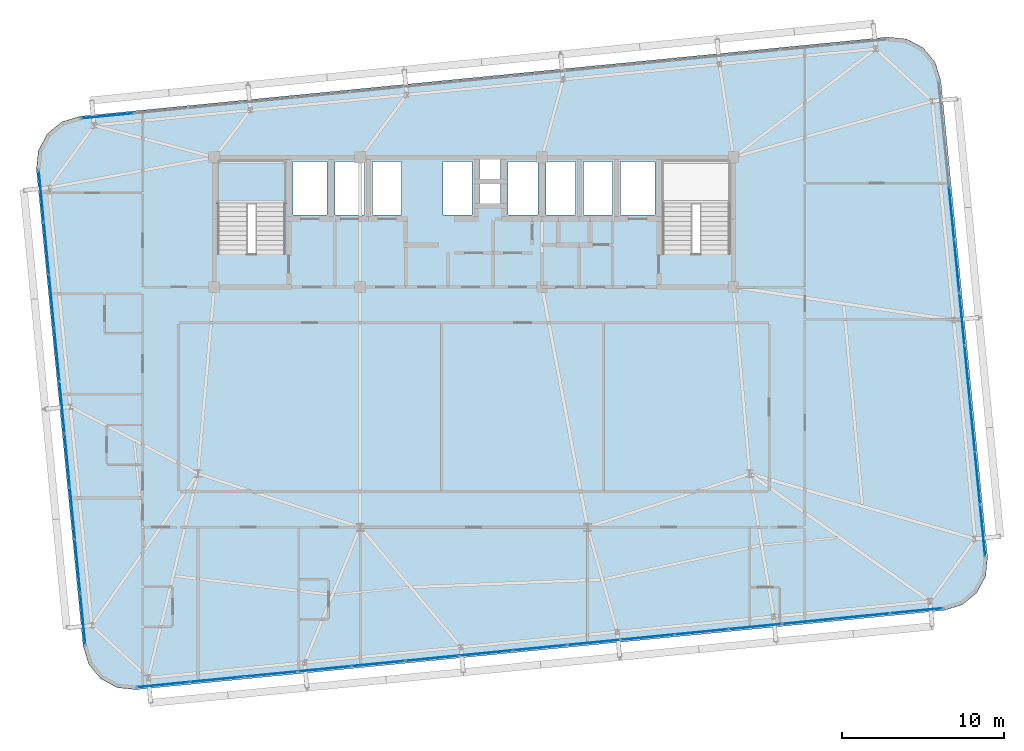
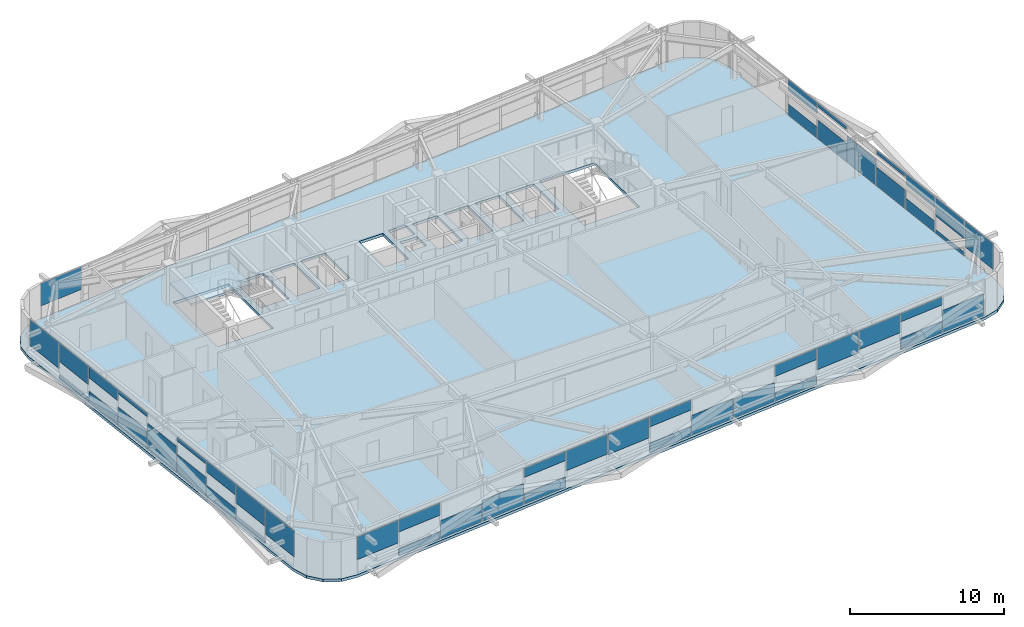
# One storey, part 36 of 53: 48 plates, 2 slabs, 5 elements without a shape of their own.
"""IFC4 building model written with IfcOpenShell, lengths in metres."""

from ifc_helpers import new_model, si_unit, direction, frame, origin, origin_2d, place, context, subcontext, project, spatial, polyline, rectangle, outline, extrude, source, transform, mapped, material, layer, layer_set, type_object, element, aggregate, save


model = new_model("IFC4")

# Units and contexts
model_context = context("Model", 3, precision=1e-05, world=origin(), true_north=direction((0.0, 1.0)))
body_context = subcontext(model_context, "Body", "Model", "MODEL_VIEW")
ifc_project = project(units=[si_unit("LENGTHUNIT", "METRE"), si_unit("AREAUNIT", "SQUARE_METRE"), si_unit("VOLUMEUNIT", "CUBIC_METRE"), si_unit("PLANEANGLEUNIT", "RADIAN"), si_unit("MASSUNIT", "GRAM", prefix="KILO")], contexts=[model_context])

# Site, building, storey
site_placement = place(None, origin())
site = spatial("IfcSite", under=ifc_project, at=site_placement, CompositionType="ELEMENT")
building_placement = place(site_placement, origin())
building = spatial("IfcBuilding", under=site, at=building_placement, Name="Taldren Reach Tower", CompositionType="ELEMENT")
storey_placement = place(building_placement, frame((0.0, 0.0, 80.85009765625)))
storey = spatial("IfcBuildingStorey", under=building, at=storey_placement, Name="L24", CompositionType="ELEMENT", Elevation=80.85009765625)

# Slab
ifc_material_1 = material(Name="Concrete N40 (40 MPa)", Category="concrete")
ifc_layer_1 = layer(ifc_material_1, 0.219970703125)
ifc_layer_set_1 = layer_set([ifc_layer_1], Name="Concrete N40 (40 MPa)")
slab_type_1 = type_object("IfcSlabType", Name="SL-FLR-220", PredefinedType="FLOOR", material=ifc_layer_set_1)
slab_1_placement = place(storey_placement, frame((0.0, 0.0, -0.22021484375)))
element("IfcSlab", 1, at=slab_1_placement, inside=storey, type_object=slab_type_1, Name="Suspended floor slab L24", PredefinedType="FLOOR", context=body_context, shape_type="SweptSolid", body=[
    extrude(outline(polyline([(63.962890625, 4.07421875), (65.0830078125, 4.41357421875), (65.98828125, 5.15576171875), (66.54052734375, 6.187744140625), (66.65576171875, 7.352783203125), (63.777099609375, 36.7119140625), (63.437744140625, 37.832275390625), (62.695556640625, 38.7373046875), (61.663330078125, 39.28955078125), (60.49853515625, 39.40478515625), (10.7373046875, 34.525634765625), (9.616943359375, 34.1865234375), (8.711669921875, 33.4443359375), (8.159423828125, 32.412109375), (8.044189453125, 31.247314453125), (10.923095703125, 1.88818359375), (11.26220703125, 0.767822265625), (12.00439453125, -0.137451171875), (13.03662109375, -0.689697265625), (14.201416015625, -0.804931640625), (63.962890625, 4.07421875)]), holes=[polyline([(19.219970703125, 26.050048828125), (23.3798828125, 26.050048828125), (23.3798828125, 31.820068359375), (19.219970703125, 31.820068359375), (19.219970703125, 26.050048828125)]), polyline([(46.6201171875, 26.050048828125), (50.780029296875, 26.050048828125), (50.780029296875, 31.820068359375), (46.6201171875, 31.820068359375), (46.6201171875, 26.050048828125)]), polyline([(23.85009765625, 28.449951171875), (25.949951171875, 28.449951171875), (25.949951171875, 31.75), (23.85009765625, 31.75), (23.85009765625, 28.449951171875)]), polyline([(44.050048828125, 28.449951171875), (46.14990234375, 28.449951171875), (46.14990234375, 31.75), (44.050048828125, 31.75), (44.050048828125, 28.449951171875)]), polyline([(26.449951171875, 28.449951171875), (28.25, 28.449951171875), (28.25, 31.75), (26.449951171875, 31.75), (26.449951171875, 28.449951171875)]), polyline([(28.75, 28.449951171875), (30.550048828125, 28.449951171875), (30.550048828125, 31.75), (28.75, 31.75), (28.75, 28.449951171875)]), polyline([(33.10009765625, 28.449951171875), (34.89990234375, 28.449951171875), (34.89990234375, 31.75), (33.10009765625, 31.75), (33.10009765625, 28.449951171875)]), polyline([(37.10009765625, 28.449951171875), (38.949951171875, 28.449951171875), (38.949951171875, 31.75), (37.10009765625, 31.75), (37.10009765625, 28.449951171875)]), polyline([(39.449951171875, 28.449951171875), (41.25, 28.449951171875), (41.25, 31.75), (39.449951171875, 31.75), (39.449951171875, 28.449951171875)]), polyline([(41.75, 28.449951171875), (43.550048828125, 28.449951171875), (43.550048828125, 31.75), (41.75, 31.75), (41.75, 28.449951171875)]), polyline([(35.35009765625, 30.64990234375), (36.64990234375, 30.64990234375), (36.64990234375, 31.85009765625), (35.35009765625, 31.85009765625), (35.35009765625, 30.64990234375)]), polyline([(35.35009765625, 29.14990234375), (36.64990234375, 29.14990234375), (36.64990234375, 30.35009765625), (35.35009765625, 30.35009765625), (35.35009765625, 29.14990234375)])]), origin(), (0.0, 0.0, 1.0), 0.22021484375),
])

# Stair, slab
ifc_material_2 = material(Name="Concrete S50 (50 MPa)", Category="concrete")
stair_type = type_object("IfcStairType", Name="ST-HT-315", PredefinedType="HALF_TURN_STAIR", material=ifc_material_2)
stair_placement = place(storey_placement, origin())
stair = element("IfcStair", 2, at=stair_placement, inside=storey, type_object=stair_type, Name="Fire-isolated exit stair ST1 L24", PredefinedType="HALF_TURN_STAIR")
ifc_layer_2 = layer(ifc_material_2, 0.179931640625)
ifc_layer_set_2 = layer_set([ifc_layer_2], Name="Concrete S50 (50 MPa)")
slab_type_2 = type_object("IfcSlabType", Name="SL-LAND-180", PredefinedType="LANDING", material=ifc_layer_set_2)
slab_2_placement = place(storey_placement, frame((0.0, 0.0, 1.39501953125)))
slab_2 = element("IfcSlab", 3, at=slab_2_placement, type_object=slab_type_2, Name="ST1 landing 1", PredefinedType="LANDING", context=body_context, shape_type="SweptSolid", body=[
    extrude(outline(polyline([(19.0400390625, 29.135009765625), (23.56005859375, 29.135009765625), (23.56005859375, 31.8701171875), (19.0400390625, 31.8701171875), (19.0400390625, 29.135009765625)])), origin(), (0.0, 0.0, 1.0), 0.179931640625),
])
aggregate(stair, [slab_2])

# Curtain wall, plates
ifc_material_3 = material(Name="Aluminium and Low-E Glass Unitised System", Category="aluminium")
ifc_layer_3 = layer(ifc_material_3, 0.159912109375)
ifc_layer_set_3 = layer_set([ifc_layer_3], Name="Aluminium and Low-E Glass Unitised System")
curtain_wall_type = type_object("IfcCurtainWallType", Name="CW-SYS-3", PredefinedType="NOTDEFINED", material=ifc_layer_set_3)
curtain_wall_1_placement = place(storey_placement, origin())
curtain_wall_1 = element("IfcCurtainWall", 4, at=curtain_wall_1_placement, inside=storey, type_object=curtain_wall_type, Name="Unitised curtain wall CW-L24-S", PredefinedType="NOTDEFINED")
ifc_material_4 = material(Name="Solar-Control Double Glazed IGU", Category="glass")
ifc_layer_4 = layer(ifc_material_4, 0.031982421875)
ifc_layer_set_4 = layer_set([ifc_layer_4], Name="Solar-Control Double Glazed IGU")
plate_type = type_object("IfcPlateType", Name="CW-PNL-IGU32", PredefinedType="CURTAIN_PANEL", material=ifc_layer_set_4)
shared_shape_1 = source(origin(), body_context, "Body", "SweptSolid", [
    extrude(rectangle(XDim=3.23583984375, YDim=0.031982421875, at=origin_2d()), origin(), (0.0, 0.0, 1.0), 1.72509765625),
])
plate_1_placement = place(storey_placement, frame((62.274169921875, 4.04931640625, 0.054931640625), z_axis=(0.0, 0.0, 1.0), x_axis=(0.995227390247, 0.097582999046, 0.0)))
plate_1 = element("IfcPlate", 5, at=plate_1_placement, type_object=plate_type, Name="CW-3 panel 15.1 part 1", PredefinedType="CURTAIN_PANEL", context=body_context, shape_type="MappedRepresentation", body=[
    mapped(shared_shape_1, transform((0.0, 0.0, 0.0), scale=1.0)),
])
shared_shape_2 = source(origin(), body_context, "Body", "SweptSolid", [
    extrude(rectangle(XDim=3.268310546875, YDim=0.031982421875, at=origin_2d()), origin(), (0.0, 0.0, 1.0), 0.88818359375),
])
plate_2_placement = place(storey_placement, frame((58.972900390625, 3.7255859375, 0.054931640625), z_axis=(0.0, 0.0, 1.0), x_axis=(0.995227390247, 0.097582999046, 0.0)))
plate_2 = element("IfcPlate", 6, at=plate_2_placement, type_object=plate_type, Name="CW-3 panel 14.1 part 1", PredefinedType="CURTAIN_PANEL", context=body_context, shape_type="MappedRepresentation", body=[
    mapped(shared_shape_2, transform((0.0, 0.0, 0.0), scale=1.0)),
])
shared_shape_3 = source(origin(), body_context, "Body", "SweptSolid", [
    extrude(rectangle(XDim=3.268310546875, YDim=0.031982421875, at=origin_2d()), origin(), (0.0, 0.0, 1.0), 0.626953125),
])
plate_3_placement = place(storey_placement, frame((58.972900390625, 3.7255859375, 2.248046875), z_axis=(0.0, 0.0, 1.0), x_axis=(0.995227390247, 0.097582999046, 0.0)))
plate_3 = element("IfcPlate", 7, at=plate_3_placement, type_object=plate_type, Name="CW-3 panel 14.1 part 2", PredefinedType="CURTAIN_PANEL", context=body_context, shape_type="MappedRepresentation", body=[
    mapped(shared_shape_3, transform((0.0, 0.0, 0.0), scale=1.0)),
])
shared_shape_4 = source(origin(), body_context, "Body", "SweptSolid", [
    extrude(rectangle(XDim=3.268310546875, YDim=0.031982421875, at=origin_2d()), origin(), (0.0, 0.0, 1.0), 1.4638671875),
])
plate_4_placement = place(storey_placement, frame((55.655517578125, 3.400390625, 1.4111328125), z_axis=(0.0, 0.0, 1.0), x_axis=(0.995227390247, 0.097582999046, 0.0)))
plate_4 = element("IfcPlate", 8, at=plate_4_placement, type_object=plate_type, Name="CW-3 panel 13.1 part 1", PredefinedType="CURTAIN_PANEL", context=body_context, shape_type="MappedRepresentation", body=[
    mapped(shared_shape_4, transform((0.0, 0.0, 0.0), scale=1.0)),
])
shared_shape_5 = source(origin(), body_context, "Body", "SweptSolid", [
    extrude(rectangle(XDim=3.268310546875, YDim=0.031982421875, at=origin_2d()), origin(), (0.0, 0.0, 1.0), 1.704833984375),
])
plate_5_placement = place(storey_placement, frame((52.338134765625, 3.0751953125, 1.169921875), z_axis=(0.0, 0.0, 1.0), x_axis=(0.995227390247, 0.097582999046, 0.0)))
plate_5 = element("IfcPlate", 9, at=plate_5_placement, type_object=plate_type, Name="CW-3 panel 12.1 part 1", PredefinedType="CURTAIN_PANEL", context=body_context, shape_type="MappedRepresentation", body=[
    mapped(shared_shape_5, transform((0.0, 0.0, 0.0), scale=1.0)),
])
shared_shape_6 = source(origin(), body_context, "Body", "SweptSolid", [
    extrude(rectangle(XDim=3.268310546875, YDim=0.031982421875, at=origin_2d()), origin(), (0.0, 0.0, 1.0), 0.647216796875),
])
plate_6_placement = place(storey_placement, frame((49.020751953125, 2.749755859375, 0.05517578125), z_axis=(0.0, 0.0, 1.0), x_axis=(0.995227390247, 0.097582999046, 0.0)))
plate_6 = element("IfcPlate", 10, at=plate_6_placement, type_object=plate_type, Name="CW-3 panel 11.1 part 1", PredefinedType="CURTAIN_PANEL", context=body_context, shape_type="MappedRepresentation", body=[
    mapped(shared_shape_6, transform((0.0, 0.0, 0.0), scale=1.0)),
])
shared_shape_7 = source(origin(), body_context, "Body", "SweptSolid", [
    extrude(rectangle(XDim=3.268310546875, YDim=0.031982421875, at=origin_2d()), origin(), (0.0, 0.0, 1.0), 0.867919921875),
])
plate_7_placement = place(storey_placement, frame((49.020751953125, 2.749755859375, 2.0068359375), z_axis=(0.0, 0.0, 1.0), x_axis=(0.995227390247, 0.097582999046, 0.0)))
plate_7 = element("IfcPlate", 11, at=plate_7_placement, type_object=plate_type, Name="CW-3 panel 11.1 part 2", PredefinedType="CURTAIN_PANEL", context=body_context, shape_type="MappedRepresentation", body=[
    mapped(shared_shape_7, transform((0.0, 0.0, 0.0), scale=1.0)),
])
shared_shape_8 = source(origin(), body_context, "Body", "SweptSolid", [
    extrude(rectangle(XDim=3.268310546875, YDim=0.031982421875, at=origin_2d()), origin(), (0.0, 0.0, 1.0), 1.484130859375),
])
plate_8_placement = place(storey_placement, frame((45.703369140625, 2.424560546875, 0.0546875), z_axis=(0.0, 0.0, 1.0), x_axis=(0.995227390247, 0.097582999046, 0.0)))
plate_8 = element("IfcPlate", 12, at=plate_8_placement, type_object=plate_type, Name="CW-3 panel 10.1 part 1", PredefinedType="CURTAIN_PANEL", context=body_context, shape_type="MappedRepresentation", body=[
    mapped(shared_shape_8, transform((0.0, 0.0, 0.0), scale=1.0)),
])
shared_shape_9 = source(origin(), body_context, "Body", "SweptSolid", [
    extrude(rectangle(XDim=3.268310546875, YDim=0.031982421875, at=origin_2d()), origin(), (0.0, 0.0, 1.0), 1.564453125),
])
plate_9_placement = place(storey_placement, frame((42.3857421875, 2.099365234375, 0.054931640625), z_axis=(0.0, 0.0, 1.0), x_axis=(0.995227390247, 0.097582999046, 0.0)))
plate_9 = element("IfcPlate", 13, at=plate_9_placement, type_object=plate_type, Name="CW-3 panel 9.1 part 1", PredefinedType="CURTAIN_PANEL", context=body_context, shape_type="MappedRepresentation", body=[
    mapped(shared_shape_9, transform((0.0, 0.0, 0.0), scale=1.0)),
])
shared_shape_10 = source(origin(), body_context, "Body", "SweptSolid", [
    extrude(rectangle(XDim=3.268310546875, YDim=0.031982421875, at=origin_2d()), origin(), (0.0, 0.0, 1.0), 0.7275390625),
])
plate_10_placement = place(storey_placement, frame((39.068359375, 1.77392578125, 0.054931640625), z_axis=(0.0, 0.0, 1.0), x_axis=(0.995227390247, 0.097582999046, 0.0)))
plate_10 = element("IfcPlate", 14, at=plate_10_placement, type_object=plate_type, Name="CW-3 panel 8.1 part 1", PredefinedType="CURTAIN_PANEL", context=body_context, shape_type="MappedRepresentation", body=[
    mapped(shared_shape_10, transform((0.0, 0.0, 0.0), scale=1.0)),
])
shared_shape_11 = source(origin(), body_context, "Body", "SweptSolid", [
    extrude(rectangle(XDim=3.268310546875, YDim=0.031982421875, at=origin_2d()), origin(), (0.0, 0.0, 1.0), 0.78759765625),
])
plate_11_placement = place(storey_placement, frame((39.068359375, 1.77392578125, 2.08740234375), z_axis=(0.0, 0.0, 1.0), x_axis=(0.995227390247, 0.097582999046, 0.0)))
plate_11 = element("IfcPlate", 15, at=plate_11_placement, type_object=plate_type, Name="CW-3 panel 8.1 part 2", PredefinedType="CURTAIN_PANEL", context=body_context, shape_type="MappedRepresentation", body=[
    mapped(shared_shape_11, transform((0.0, 0.0, 0.0), scale=1.0)),
])
shared_shape_12 = source(origin(), body_context, "Body", "SweptSolid", [
    extrude(rectangle(XDim=3.268310546875, YDim=0.031982421875, at=origin_2d()), origin(), (0.0, 0.0, 1.0), 1.62451171875),
])
plate_12_placement = place(storey_placement, frame((35.7509765625, 1.44873046875, 1.25048828125), z_axis=(0.0, 0.0, 1.0), x_axis=(0.995227390247, 0.097582999046, 0.0)))
plate_12 = element("IfcPlate", 16, at=plate_12_placement, type_object=plate_type, Name="CW-3 panel 7.1 part 1", PredefinedType="CURTAIN_PANEL", context=body_context, shape_type="MappedRepresentation", body=[
    mapped(shared_shape_12, transform((0.0, 0.0, 0.0), scale=1.0)),
])
shared_shape_13 = source(origin(), body_context, "Body", "SweptSolid", [
    extrude(rectangle(XDim=3.268310546875, YDim=0.031982421875, at=origin_2d()), origin(), (0.0, 0.0, 1.0), 1.544189453125),
])
plate_13_placement = place(storey_placement, frame((32.43359375, 1.12353515625, 1.33056640625), z_axis=(0.0, 0.0, 1.0), x_axis=(0.995227390247, 0.097582999046, 0.0)))
plate_13 = element("IfcPlate", 17, at=plate_13_placement, type_object=plate_type, Name="CW-3 panel 6.1 part 1", PredefinedType="CURTAIN_PANEL", context=body_context, shape_type="MappedRepresentation", body=[
    mapped(shared_shape_13, transform((0.0, 0.0, 0.0), scale=1.0)),
])
shared_shape_14 = source(origin(), body_context, "Body", "SweptSolid", [
    extrude(rectangle(XDim=3.268310546875, YDim=0.031982421875, at=origin_2d()), origin(), (0.0, 0.0, 1.0), 0.807861328125),
])
plate_14_placement = place(storey_placement, frame((29.1162109375, 0.798095703125, 0.05517578125), z_axis=(0.0, 0.0, 1.0), x_axis=(0.995227390247, 0.097582999046, 0.0)))
plate_14 = element("IfcPlate", 18, at=plate_14_placement, type_object=plate_type, Name="CW-3 panel 5.1 part 1", PredefinedType="CURTAIN_PANEL", context=body_context, shape_type="MappedRepresentation", body=[
    mapped(shared_shape_14, transform((0.0, 0.0, 0.0), scale=1.0)),
])
shared_shape_15 = source(origin(), body_context, "Body", "SweptSolid", [
    extrude(rectangle(XDim=3.268310546875, YDim=0.031982421875, at=origin_2d()), origin(), (0.0, 0.0, 1.0), 0.707275390625),
])
plate_15_placement = place(storey_placement, frame((29.1162109375, 0.798095703125, 2.16748046875), z_axis=(0.0, 0.0, 1.0), x_axis=(0.995227390247, 0.097582999046, 0.0)))
plate_15 = element("IfcPlate", 19, at=plate_15_placement, type_object=plate_type, Name="CW-3 panel 5.1 part 2", PredefinedType="CURTAIN_PANEL", context=body_context, shape_type="MappedRepresentation", body=[
    mapped(shared_shape_15, transform((0.0, 0.0, 0.0), scale=1.0)),
])
shared_shape_16 = source(origin(), body_context, "Body", "SweptSolid", [
    extrude(rectangle(XDim=3.268310546875, YDim=0.031982421875, at=origin_2d()), origin(), (0.0, 0.0, 1.0), 1.644775390625),
])
plate_16_placement = place(storey_placement, frame((25.798828125, 0.472900390625, 0.0546875), z_axis=(0.0, 0.0, 1.0), x_axis=(0.995227390247, 0.097582999046, 0.0)))
plate_16 = element("IfcPlate", 20, at=plate_16_placement, type_object=plate_type, Name="CW-3 panel 4.1 part 1", PredefinedType="CURTAIN_PANEL", context=body_context, shape_type="MappedRepresentation", body=[
    mapped(shared_shape_16, transform((0.0, 0.0, 0.0), scale=1.0)),
])
shared_shape_17 = source(origin(), body_context, "Body", "SweptSolid", [
    extrude(rectangle(XDim=3.268310546875, YDim=0.031982421875, at=origin_2d()), origin(), (0.0, 0.0, 1.0), 1.40380859375),
])
plate_17_placement = place(storey_placement, frame((22.481201171875, 0.147705078125, 0.054931640625), z_axis=(0.0, 0.0, 1.0), x_axis=(0.995227390247, 0.097582999046, 0.0)))
plate_17 = element("IfcPlate", 21, at=plate_17_placement, type_object=plate_type, Name="CW-3 panel 3.1 part 1", PredefinedType="CURTAIN_PANEL", context=body_context, shape_type="MappedRepresentation", body=[
    mapped(shared_shape_17, transform((0.0, 0.0, 0.0), scale=1.0)),
])
shared_shape_18 = source(origin(), body_context, "Body", "SweptSolid", [
    extrude(rectangle(XDim=3.268310546875, YDim=0.031982421875, at=origin_2d()), origin(), (0.0, 0.0, 1.0), 0.56689453125),
])
plate_18_placement = place(storey_placement, frame((19.163818359375, -0.177734375, 0.054931640625), z_axis=(0.0, 0.0, 1.0), x_axis=(0.995227390247, 0.097582999046, 0.0)))
plate_18 = element("IfcPlate", 22, at=plate_18_placement, type_object=plate_type, Name="CW-3 panel 2.1 part 1", PredefinedType="CURTAIN_PANEL", context=body_context, shape_type="MappedRepresentation", body=[
    mapped(shared_shape_18, transform((0.0, 0.0, 0.0), scale=1.0)),
])
shared_shape_19 = source(origin(), body_context, "Body", "SweptSolid", [
    extrude(rectangle(XDim=3.268310546875, YDim=0.031982421875, at=origin_2d()), origin(), (0.0, 0.0, 1.0), 0.9482421875),
])
plate_19_placement = place(storey_placement, frame((19.163818359375, -0.177734375, 1.926513671875), z_axis=(0.0, 0.0, 1.0), x_axis=(0.995227390247, 0.097582999046, 0.0)))
plate_19 = element("IfcPlate", 23, at=plate_19_placement, type_object=plate_type, Name="CW-3 panel 2.1 part 2", PredefinedType="CURTAIN_PANEL", context=body_context, shape_type="MappedRepresentation", body=[
    mapped(shared_shape_19, transform((0.0, 0.0, 0.0), scale=1.0)),
])
shared_shape_20 = source(origin(), body_context, "Body", "SweptSolid", [
    extrude(rectangle(XDim=3.23583984375, YDim=0.031982421875, at=origin_2d()), origin(), (0.0, 0.0, 1.0), 1.78515625),
])
plate_20_placement = place(storey_placement, frame((15.862548828125, -0.501220703125, 1.08984375), z_axis=(0.0, 0.0, 1.0), x_axis=(0.995227390247, 0.097582999046, 0.0)))
plate_20 = element("IfcPlate", 24, at=plate_20_placement, type_object=plate_type, Name="CW-3 panel 1.1 part 1", PredefinedType="CURTAIN_PANEL", context=body_context, shape_type="MappedRepresentation", body=[
    mapped(shared_shape_20, transform((0.0, 0.0, 0.0), scale=1.0)),
])
aggregate(curtain_wall_1, [plate_20, plate_18, plate_19, plate_17, plate_16, plate_14, plate_15, plate_13, plate_12, plate_10, plate_11, plate_9, plate_8, plate_6, plate_7, plate_5, plate_4, plate_2, plate_3, plate_1])

# Curtain wall, plate
curtain_wall_2_placement = place(storey_placement, origin())
curtain_wall_2 = element("IfcCurtainWall", 25, at=curtain_wall_2_placement, inside=storey, type_object=curtain_wall_type, Name="Unitised curtain wall CW-L24-N", PredefinedType="NOTDEFINED")
plate_21_placement = place(storey_placement, frame((12.42578125, 34.550537109375, 1.08984375), z_axis=(0.0, 0.0, 1.0), x_axis=(-0.995227390247, -0.097582999046, 0.0)))
plate_21 = element("IfcPlate", 26, at=plate_21_placement, type_object=plate_type, Name="CW-3 panel 15.1 part 1", PredefinedType="CURTAIN_PANEL", context=body_context, shape_type="MappedRepresentation", body=[
    mapped(shared_shape_20, transform((0.0, 0.0, 0.0), scale=1.0)),
])
aggregate(curtain_wall_2, [plate_21])

# Curtain wall, plates
curtain_wall_3_placement = place(storey_placement, origin())
curtain_wall_3 = element("IfcCurtainWall", 27, at=curtain_wall_3_placement, inside=storey, type_object=curtain_wall_type, Name="Unitised curtain wall CW-L24-W", PredefinedType="NOTDEFINED")
shared_shape_21 = source(origin(), body_context, "Body", "SweptSolid", [
    extrude(rectangle(XDim=3.18017578125, YDim=0.031982421875, at=origin_2d()), origin(), (0.0, 0.0, 1.0), 2.049560546875),
])
plate_22_placement = place(storey_placement, frame((8.34521484375, 29.61376953125, 0.8251953125), z_axis=(0.0, 0.0, 1.0), x_axis=(0.09758274098, -0.99522741555, 0.0)))
plate_22 = element("IfcPlate", 28, at=plate_22_placement, type_object=plate_type, Name="CW-3 panel 1.1 part 1", PredefinedType="CURTAIN_PANEL", context=body_context, shape_type="MappedRepresentation", body=[
    mapped(shared_shape_21, transform((0.0, 0.0, 0.0), scale=1.0)),
])
plate_23_placement = place(storey_placement, frame((10.90087890625, 3.549072265625, 0.8251953125), z_axis=(0.0, 0.0, 1.0), x_axis=(0.09758274098, -0.99522741555, 0.0)))
plate_23 = element("IfcPlate", 29, at=plate_23_placement, type_object=plate_type, Name="CW-3 panel 9.1 part 1", PredefinedType="CURTAIN_PANEL", context=body_context, shape_type="MappedRepresentation", body=[
    mapped(shared_shape_21, transform((0.0, 0.0, 0.0), scale=1.0)),
])

# Curtain wall, plate
curtain_wall_4_placement = place(storey_placement, origin())
curtain_wall_4 = element("IfcCurtainWall", 30, at=curtain_wall_4_placement, inside=storey, type_object=curtain_wall_type, Name="Unitised curtain wall CW-L24-E", PredefinedType="NOTDEFINED")
plate_24_placement = place(storey_placement, frame((66.35498046875, 8.986328125, 0.8251953125), z_axis=(0.0, 0.0, 1.0), x_axis=(-0.09758274098, 0.99522741555, 0.0)))
plate_24 = element("IfcPlate", 31, at=plate_24_placement, type_object=plate_type, Name="CW-3 panel 1.1 part 1", PredefinedType="CURTAIN_PANEL", context=body_context, shape_type="MappedRepresentation", body=[
    mapped(shared_shape_21, transform((0.0, 0.0, 0.0), scale=1.0)),
])

# Plate
shared_shape_22 = source(origin(), body_context, "Body", "SweptSolid", [
    extrude(rectangle(XDim=3.212890625, YDim=0.031982421875, at=origin_2d()), origin(), (0.0, 0.0, 1.0), 0.3046875),
])
plate_25_placement = place(storey_placement, frame((8.663330078125, 26.36767578125, 0.054931640625), z_axis=(0.0, 0.0, 1.0), x_axis=(0.09758274098, -0.99522741555, 0.0)))
plate_25 = element("IfcPlate", 32, at=plate_25_placement, type_object=plate_type, Name="CW-3 panel 2.1 part 1", PredefinedType="CURTAIN_PANEL", context=body_context, shape_type="MappedRepresentation", body=[
    mapped(shared_shape_22, transform((0.0, 0.0, 0.0), scale=1.0)),
])

plate_26_placement = place(storey_placement, frame((10.58251953125, 6.794921875, 0.054931640625), z_axis=(0.0, 0.0, 1.0), x_axis=(0.09758274098, -0.99522741555, 0.0)))
plate_26 = element("IfcPlate", 33, at=plate_26_placement, type_object=plate_type, Name="CW-3 panel 8.1 part 1", PredefinedType="CURTAIN_PANEL", context=body_context, shape_type="MappedRepresentation", body=[
    mapped(shared_shape_22, transform((0.0, 0.0, 0.0), scale=1.0)),
])

plate_27_placement = place(storey_placement, frame((66.03662109375, 12.232177734375, 0.054931640625), z_axis=(0.0, 0.0, 1.0), x_axis=(-0.09758274098, 0.99522741555, 0.0)))
plate_27 = element("IfcPlate", 34, at=plate_27_placement, type_object=plate_type, Name="CW-3 panel 2.1 part 1", PredefinedType="CURTAIN_PANEL", context=body_context, shape_type="MappedRepresentation", body=[
    mapped(shared_shape_22, transform((0.0, 0.0, 0.0), scale=1.0)),
])

shared_shape_23 = source(origin(), body_context, "Body", "SweptSolid", [
    extrude(rectangle(XDim=3.212890625, YDim=0.031982421875, at=origin_2d()), origin(), (0.0, 0.0, 1.0), 1.461669921875),
])
plate_28_placement = place(storey_placement, frame((8.663330078125, 26.36767578125, 1.4130859375), z_axis=(0.0, 0.0, 1.0), x_axis=(0.09758274098, -0.99522741555, 0.0)))
plate_28 = element("IfcPlate", 35, at=plate_28_placement, type_object=plate_type, Name="CW-3 panel 2.1 part 2", PredefinedType="CURTAIN_PANEL", context=body_context, shape_type="MappedRepresentation", body=[
    mapped(shared_shape_23, transform((0.0, 0.0, 0.0), scale=1.0)),
])

plate_29_placement = place(storey_placement, frame((10.58251953125, 6.794921875, 1.4130859375), z_axis=(0.0, 0.0, 1.0), x_axis=(0.09758274098, -0.99522741555, 0.0)))
plate_29 = element("IfcPlate", 36, at=plate_29_placement, type_object=plate_type, Name="CW-3 panel 8.1 part 2", PredefinedType="CURTAIN_PANEL", context=body_context, shape_type="MappedRepresentation", body=[
    mapped(shared_shape_23, transform((0.0, 0.0, 0.0), scale=1.0)),
])

plate_30_placement = place(storey_placement, frame((66.03662109375, 12.232177734375, 1.4130859375), z_axis=(0.0, 0.0, 1.0), x_axis=(-0.09758274098, 0.99522741555, 0.0)))
plate_30 = element("IfcPlate", 37, at=plate_30_placement, type_object=plate_type, Name="CW-3 panel 2.1 part 2", PredefinedType="CURTAIN_PANEL", context=body_context, shape_type="MappedRepresentation", body=[
    mapped(shared_shape_23, transform((0.0, 0.0, 0.0), scale=1.0)),
])

shared_shape_24 = source(origin(), body_context, "Body", "SweptSolid", [
    extrude(rectangle(XDim=3.212890625, YDim=0.031982421875, at=origin_2d()), origin(), (0.0, 0.0, 1.0), 0.892578125),
])
plate_31_placement = place(storey_placement, frame((8.983154296875, 23.105712890625, 0.054931640625), z_axis=(0.0, 0.0, 1.0), x_axis=(0.09758274098, -0.99522741555, 0.0)))
plate_31 = element("IfcPlate", 38, at=plate_31_placement, type_object=plate_type, Name="CW-3 panel 3.1 part 1", PredefinedType="CURTAIN_PANEL", context=body_context, shape_type="MappedRepresentation", body=[
    mapped(shared_shape_24, transform((0.0, 0.0, 0.0), scale=1.0)),
])

plate_32_placement = place(storey_placement, frame((10.2626953125, 10.05712890625, 0.054931640625), z_axis=(0.0, 0.0, 1.0), x_axis=(0.09758274098, -0.99522741555, 0.0)))
plate_32 = element("IfcPlate", 39, at=plate_32_placement, type_object=plate_type, Name="CW-3 panel 7.1 part 1", PredefinedType="CURTAIN_PANEL", context=body_context, shape_type="MappedRepresentation", body=[
    mapped(shared_shape_24, transform((0.0, 0.0, 0.0), scale=1.0)),
])

plate_33_placement = place(storey_placement, frame((65.716796875, 15.494384765625, 0.054931640625), z_axis=(0.0, 0.0, 1.0), x_axis=(-0.09758274098, 0.99522741555, 0.0)))
plate_33 = element("IfcPlate", 40, at=plate_33_placement, type_object=plate_type, Name="CW-3 panel 3.1 part 1", PredefinedType="CURTAIN_PANEL", context=body_context, shape_type="MappedRepresentation", body=[
    mapped(shared_shape_24, transform((0.0, 0.0, 0.0), scale=1.0)),
])

plate_34_placement = place(storey_placement, frame((64.437255859375, 28.54296875, 0.054931640625), z_axis=(0.0, 0.0, 1.0), x_axis=(-0.09758274098, 0.99522741555, 0.0)))
plate_34 = element("IfcPlate", 41, at=plate_34_placement, type_object=plate_type, Name="CW-3 panel 7.1 part 1", PredefinedType="CURTAIN_PANEL", context=body_context, shape_type="MappedRepresentation", body=[
    mapped(shared_shape_24, transform((0.0, 0.0, 0.0), scale=1.0)),
])

shared_shape_25 = source(origin(), body_context, "Body", "SweptSolid", [
    extrude(rectangle(XDim=3.212890625, YDim=0.031982421875, at=origin_2d()), origin(), (0.0, 0.0, 1.0), 0.873779296875),
])
plate_35_placement = place(storey_placement, frame((8.983154296875, 23.105712890625, 2.0009765625), z_axis=(0.0, 0.0, 1.0), x_axis=(0.09758274098, -0.99522741555, 0.0)))
plate_35 = element("IfcPlate", 42, at=plate_35_placement, type_object=plate_type, Name="CW-3 panel 3.1 part 2", PredefinedType="CURTAIN_PANEL", context=body_context, shape_type="MappedRepresentation", body=[
    mapped(shared_shape_25, transform((0.0, 0.0, 0.0), scale=1.0)),
])

plate_36_placement = place(storey_placement, frame((10.2626953125, 10.05712890625, 2.0009765625), z_axis=(0.0, 0.0, 1.0), x_axis=(0.09758274098, -0.99522741555, 0.0)))
plate_36 = element("IfcPlate", 43, at=plate_36_placement, type_object=plate_type, Name="CW-3 panel 7.1 part 2", PredefinedType="CURTAIN_PANEL", context=body_context, shape_type="MappedRepresentation", body=[
    mapped(shared_shape_25, transform((0.0, 0.0, 0.0), scale=1.0)),
])

plate_37_placement = place(storey_placement, frame((65.716796875, 15.494384765625, 2.0009765625), z_axis=(0.0, 0.0, 1.0), x_axis=(-0.09758274098, 0.99522741555, 0.0)))
plate_37 = element("IfcPlate", 44, at=plate_37_placement, type_object=plate_type, Name="CW-3 panel 3.1 part 2", PredefinedType="CURTAIN_PANEL", context=body_context, shape_type="MappedRepresentation", body=[
    mapped(shared_shape_25, transform((0.0, 0.0, 0.0), scale=1.0)),
])

plate_38_placement = place(storey_placement, frame((64.437255859375, 28.54296875, 2.0009765625), z_axis=(0.0, 0.0, 1.0), x_axis=(-0.09758274098, 0.99522741555, 0.0)))
plate_38 = element("IfcPlate", 45, at=plate_38_placement, type_object=plate_type, Name="CW-3 panel 7.1 part 2", PredefinedType="CURTAIN_PANEL", context=body_context, shape_type="MappedRepresentation", body=[
    mapped(shared_shape_25, transform((0.0, 0.0, 0.0), scale=1.0)),
])

shared_shape_26 = source(origin(), body_context, "Body", "SweptSolid", [
    extrude(rectangle(XDim=3.212890625, YDim=0.031982421875, at=origin_2d()), origin(), (0.0, 0.0, 1.0), 1.48046875),
])
plate_39_placement = place(storey_placement, frame((9.30322265625, 19.843505859375, 0.054931640625), z_axis=(0.0, 0.0, 1.0), x_axis=(0.09758274098, -0.99522741555, 0.0)))
plate_39 = element("IfcPlate", 46, at=plate_39_placement, type_object=plate_type, Name="CW-3 panel 4.1 part 1", PredefinedType="CURTAIN_PANEL", context=body_context, shape_type="MappedRepresentation", body=[
    mapped(shared_shape_26, transform((0.0, 0.0, 0.0), scale=1.0)),
])

plate_40_placement = place(storey_placement, frame((9.94287109375, 13.319091796875, 0.054931640625), z_axis=(0.0, 0.0, 1.0), x_axis=(0.09758274098, -0.99522741555, 0.0)))
plate_40 = element("IfcPlate", 47, at=plate_40_placement, type_object=plate_type, Name="CW-3 panel 6.1 part 1", PredefinedType="CURTAIN_PANEL", context=body_context, shape_type="MappedRepresentation", body=[
    mapped(shared_shape_26, transform((0.0, 0.0, 0.0), scale=1.0)),
])

plate_41_placement = place(storey_placement, frame((65.39697265625, 18.756591796875, 0.054931640625), z_axis=(0.0, 0.0, 1.0), x_axis=(-0.09758274098, 0.99522741555, 0.0)))
plate_41 = element("IfcPlate", 48, at=plate_41_placement, type_object=plate_type, Name="CW-3 panel 4.1 part 1", PredefinedType="CURTAIN_PANEL", context=body_context, shape_type="MappedRepresentation", body=[
    mapped(shared_shape_26, transform((0.0, 0.0, 0.0), scale=1.0)),
])

plate_42_placement = place(storey_placement, frame((64.757080078125, 25.28076171875, 0.054931640625), z_axis=(0.0, 0.0, 1.0), x_axis=(-0.09758274098, 0.99522741555, 0.0)))
plate_42 = element("IfcPlate", 49, at=plate_42_placement, type_object=plate_type, Name="CW-3 panel 6.1 part 1", PredefinedType="CURTAIN_PANEL", context=body_context, shape_type="MappedRepresentation", body=[
    mapped(shared_shape_26, transform((0.0, 0.0, 0.0), scale=1.0)),
])

shared_shape_27 = source(origin(), body_context, "Body", "SweptSolid", [
    extrude(rectangle(XDim=3.212890625, YDim=0.031982421875, at=origin_2d()), origin(), (0.0, 0.0, 1.0), 0.2861328125),
])
plate_43_placement = place(storey_placement, frame((9.30322265625, 19.843505859375, 2.5888671875), z_axis=(0.0, 0.0, 1.0), x_axis=(0.09758274098, -0.99522741555, 0.0)))
plate_43 = element("IfcPlate", 50, at=plate_43_placement, type_object=plate_type, Name="CW-3 panel 4.1 part 2", PredefinedType="CURTAIN_PANEL", context=body_context, shape_type="MappedRepresentation", body=[
    mapped(shared_shape_27, transform((0.0, 0.0, 0.0), scale=1.0)),
])

plate_44_placement = place(storey_placement, frame((9.94287109375, 13.319091796875, 2.5888671875), z_axis=(0.0, 0.0, 1.0), x_axis=(0.09758274098, -0.99522741555, 0.0)))
plate_44 = element("IfcPlate", 51, at=plate_44_placement, type_object=plate_type, Name="CW-3 panel 6.1 part 2", PredefinedType="CURTAIN_PANEL", context=body_context, shape_type="MappedRepresentation", body=[
    mapped(shared_shape_27, transform((0.0, 0.0, 0.0), scale=1.0)),
])

plate_45_placement = place(storey_placement, frame((65.39697265625, 18.756591796875, 2.5888671875), z_axis=(0.0, 0.0, 1.0), x_axis=(-0.09758274098, 0.99522741555, 0.0)))
plate_45 = element("IfcPlate", 52, at=plate_45_placement, type_object=plate_type, Name="CW-3 panel 4.1 part 2", PredefinedType="CURTAIN_PANEL", context=body_context, shape_type="MappedRepresentation", body=[
    mapped(shared_shape_27, transform((0.0, 0.0, 0.0), scale=1.0)),
])

plate_46_placement = place(storey_placement, frame((64.757080078125, 25.28076171875, 2.5888671875), z_axis=(0.0, 0.0, 1.0), x_axis=(-0.09758274098, 0.99522741555, 0.0)))
plate_46 = element("IfcPlate", 53, at=plate_46_placement, type_object=plate_type, Name="CW-3 panel 6.1 part 2", PredefinedType="CURTAIN_PANEL", context=body_context, shape_type="MappedRepresentation", body=[
    mapped(shared_shape_27, transform((0.0, 0.0, 0.0), scale=1.0)),
])

shared_shape_28 = source(origin(), body_context, "Body", "SweptSolid", [
    extrude(rectangle(XDim=3.212890625, YDim=0.031982421875, at=origin_2d()), origin(), (0.0, 0.0, 1.0), 2.068359375),
])
plate_47_placement = place(storey_placement, frame((9.623046875, 16.581298828125, 0.054931640625), z_axis=(0.0, 0.0, 1.0), x_axis=(0.09758274098, -0.99522741555, 0.0)))
plate_47 = element("IfcPlate", 54, at=plate_47_placement, type_object=plate_type, Name="CW-3 panel 5.1 part 1", PredefinedType="CURTAIN_PANEL", context=body_context, shape_type="MappedRepresentation", body=[
    mapped(shared_shape_28, transform((0.0, 0.0, 0.0), scale=1.0)),
])

aggregate(curtain_wall_3, [plate_22, plate_25, plate_28, plate_31, plate_35, plate_39, plate_43, plate_47, plate_40, plate_44, plate_32, plate_36, plate_26, plate_29, plate_23])

plate_48_placement = place(storey_placement, frame((65.0771484375, 22.0185546875, 0.054931640625), z_axis=(0.0, 0.0, 1.0), x_axis=(-0.09758274098, 0.99522741555, 0.0)))
plate_48 = element("IfcPlate", 55, at=plate_48_placement, type_object=plate_type, Name="CW-3 panel 5.1 part 1", PredefinedType="CURTAIN_PANEL", context=body_context, shape_type="MappedRepresentation", body=[
    mapped(shared_shape_28, transform((0.0, 0.0, 0.0), scale=1.0)),
])

aggregate(curtain_wall_4, [plate_24, plate_27, plate_30, plate_33, plate_37, plate_41, plate_45, plate_48, plate_42, plate_46, plate_34, plate_38])

save(model, "model.ifc")
